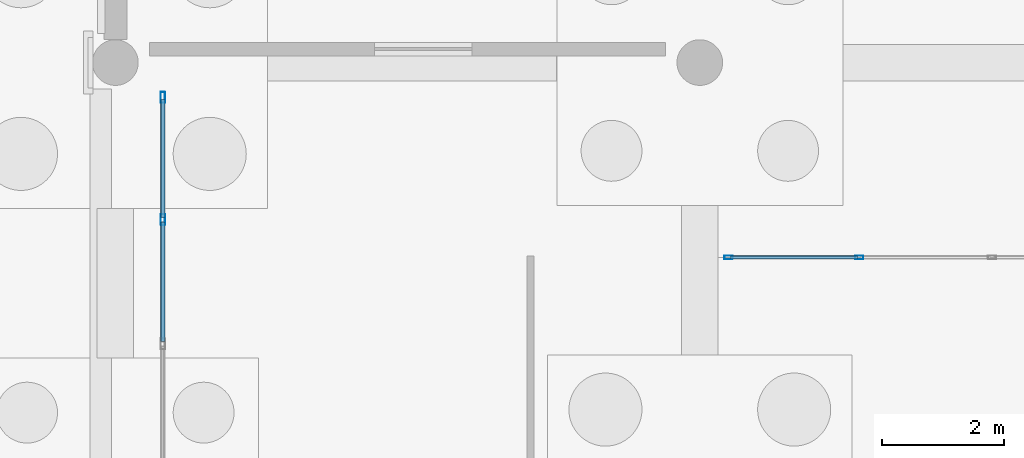
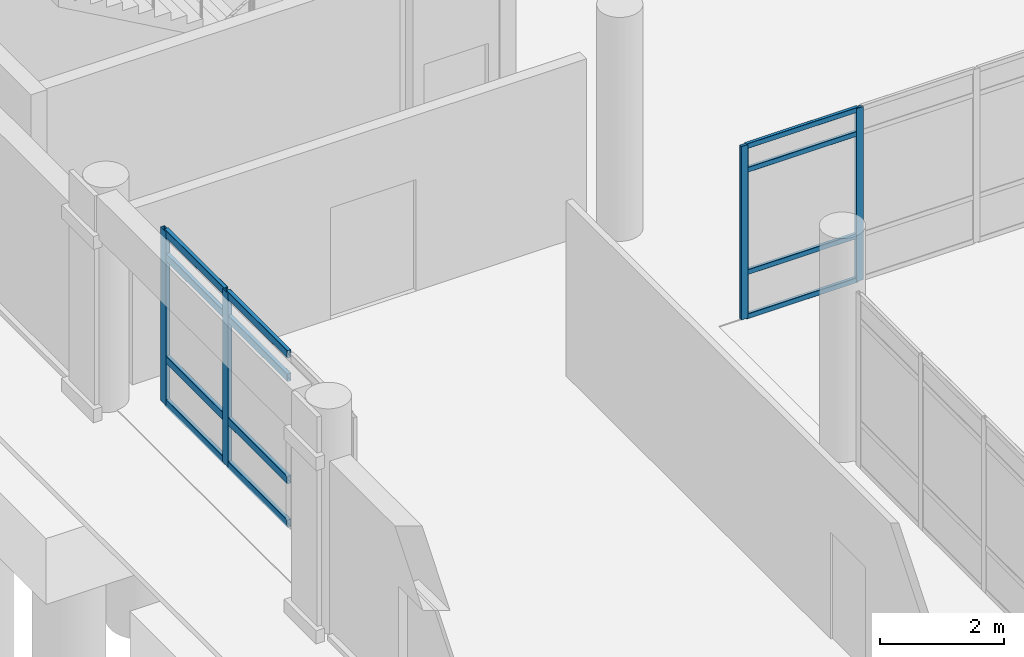
# One storey, part 100 of 196: 16 members, 2 elements without a shape of their own.
"""IFC4 building model written with IfcOpenShell, lengths in metres."""

from ifc_helpers import new_model, si_unit, direction, frame, origin, origin_2d, place, context, subcontext, project, spatial, hollow_rectangle, extrude, material, layer, layer_set, material_profile, profile_set, type_object, element, aggregate, save


model = new_model("IFC4")

# Units and contexts
model_context = context("Model", 3, precision=1e-05, world=origin(), true_north=direction((0.0, 1.0)))
body_context = subcontext(model_context, "Body", "Model", "MODEL_VIEW")
ifc_project = project(units=[si_unit("LENGTHUNIT", "METRE"), si_unit("AREAUNIT", "SQUARE_METRE"), si_unit("VOLUMEUNIT", "CUBIC_METRE"), si_unit("PLANEANGLEUNIT", "RADIAN"), si_unit("MASSUNIT", "GRAM", prefix="KILO")], contexts=[model_context])

# Site, building, storey
site_placement = place(None, origin())
site = spatial("IfcSite", under=ifc_project, at=site_placement, CompositionType="ELEMENT")
building_placement = place(site_placement, origin())
building = spatial("IfcBuilding", under=site, at=building_placement, Name="Asteropetra Specialist Clinic", CompositionType="ELEMENT")
storey_placement = place(building_placement, origin())
storey = spatial("IfcBuildingStorey", under=building, at=storey_placement, Name="L00", CompositionType="ELEMENT", Elevation=0.0)

# Curtain wall, members
ifc_material_1 = material(Name="Aluminium and low-E glass", Category="aluminium")
ifc_layer_1 = layer(ifc_material_1, 0.135009765625)
ifc_layer_set_1 = layer_set([ifc_layer_1], Name="Aluminium and low-E glass")
curtain_wall_type_1 = type_object("IfcCurtainWallType", Name="CW-SYS-03", PredefinedType="USERDEFINED", material=ifc_layer_set_1)
curtain_wall_1_placement = place(storey_placement, origin())
curtain_wall_1 = element("IfcCurtainWall", 1, at=curtain_wall_1_placement, inside=storey, type_object=curtain_wall_type_1, Name="Curtain Wall CW-002", ObjectType="UNITISED CURTAIN WALL", PredefinedType="USERDEFINED")
ifc_material_2 = material(Name="Aluminium 6063-T6", Category="aluminium")
ifc_material_profile_1 = material_profile(ifc_material_2, hollow_rectangle(XDim=0.06005859375, YDim=0.135009765625, WallThickness=0.00341796875, InnerFilletRadius=0.00341796875, OuterFilletRadius=0.007080078125, at=origin_2d()), Name="MUL 135x60x3.5")
ifc_profile_set_1 = profile_set([ifc_material_profile_1], Name="Aluminium 6063-T6")
member_type_1 = type_object("IfcMemberType", Name="CWM-135x60", PredefinedType="MULLION", material=ifc_profile_set_1)
member_1_placement = place(storey_placement, frame((12.219970703125, 95.199951171875, 0.0), z_axis=(0.0, 0.0, 1.0), x_axis=(0.0, -1.0, 0.0)))
member_1 = element("IfcMember", 2, at=member_1_placement, type_object=member_type_1, Name="CW-002 mullion 4", PredefinedType="MULLION", context=body_context, shape_type="SweptSolid", body=[
    extrude(hollow_rectangle(XDim=0.06005859375, YDim=0.135009765625, WallThickness=0.00341796875, InnerFilletRadius=0.00341796875, OuterFilletRadius=0.007080078125, at=origin_2d()), origin(), (0.0, 0.0, 1.0), 3.419921875),
])
member_2_placement = place(storey_placement, frame((10.070068359375, 95.199951171875, 0.0), z_axis=(0.0, 0.0, 1.0), x_axis=(0.0, -1.0, 0.0)))
member_2 = element("IfcMember", 3, at=member_2_placement, type_object=member_type_1, Name="CW-002 mullion 5", PredefinedType="MULLION", context=body_context, shape_type="SweptSolid", body=[
    extrude(hollow_rectangle(XDim=0.06005859375, YDim=0.135009765625, WallThickness=0.00341796875, InnerFilletRadius=0.00341796875, OuterFilletRadius=0.007080078125, at=origin_2d()), origin(), (0.0, 0.0, 1.0), 3.419921875),
])

ifc_material_3 = material(Name="Aluminium and low-E glass", Category="aluminium")
ifc_layer_2 = layer(ifc_material_3, 0.179931640625)
ifc_layer_set_2 = layer_set([ifc_layer_2], Name="Aluminium and low-E glass")
curtain_wall_type_2 = type_object("IfcCurtainWallType", Name="CW-SYS-01", PredefinedType="USERDEFINED", material=ifc_layer_set_2)
curtain_wall_2_placement = place(storey_placement, origin())
curtain_wall_2 = element("IfcCurtainWall", 4, at=curtain_wall_2_placement, inside=storey, type_object=curtain_wall_type_2, Name="Curtain Wall CW-189", ObjectType="UNITISED CURTAIN WALL", PredefinedType="USERDEFINED")
ifc_material_4 = material(Name="Aluminium 6063-T6", Category="aluminium")
ifc_material_profile_2 = material_profile(ifc_material_4, hollow_rectangle(XDim=0.074951171875, YDim=0.179931640625, WallThickness=0.00390625, InnerFilletRadius=0.00390625, OuterFilletRadius=0.008056640625, at=origin_2d()), Name="MUL 180x75x4.0")
ifc_profile_set_2 = profile_set([ifc_material_profile_2], Name="Aluminium 6063-T6")
member_type_2 = type_object("IfcMemberType", Name="CWM-180x75", PredefinedType="MULLION", material=ifc_profile_set_2)
member_3_placement = place(storey_placement, frame((0.780029296875, 97.827392578125, 0.0), z_axis=(0.0, 0.0, 1.0), x_axis=(1.0, 0.0, 0.0)))
member_3 = element("IfcMember", 5, at=member_3_placement, type_object=member_type_2, Name="CW-189 mullion 1", PredefinedType="MULLION", context=body_context, shape_type="SweptSolid", body=[
    extrude(hollow_rectangle(XDim=0.074951171875, YDim=0.179931640625, WallThickness=0.00390625, InnerFilletRadius=0.00390625, OuterFilletRadius=0.008056640625, at=origin_2d()), origin(), (0.0, 0.0, 1.0), 3.419921875),
])
member_4_placement = place(storey_placement, frame((0.780029296875, 95.82177734375, 0.0), z_axis=(0.0, 0.0, 1.0), x_axis=(1.0, 0.0, 0.0)))
member_4 = element("IfcMember", 6, at=member_4_placement, type_object=member_type_2, Name="CW-189 mullion 2", PredefinedType="MULLION", context=body_context, shape_type="SweptSolid", body=[
    extrude(hollow_rectangle(XDim=0.074951171875, YDim=0.179931640625, WallThickness=0.00390625, InnerFilletRadius=0.00390625, OuterFilletRadius=0.008056640625, at=origin_2d()), origin(), (0.0, 0.0, 1.0), 3.419921875),
])

# Member
ifc_material_5 = material(Name="Aluminium 6063-T6", Category="aluminium")
ifc_material_profile_3 = material_profile(ifc_material_5, hollow_rectangle(XDim=0.06005859375, YDim=0.10009765625, WallThickness=0.00341796875, InnerFilletRadius=0.00341796875, OuterFilletRadius=0.007080078125, at=origin_2d()), Name="TRN 100x60x3.5")
ifc_profile_set_3 = profile_set([ifc_material_profile_3], Name="Aluminium 6063-T6")
member_type_3 = type_object("IfcMemberType", Name="CWT-100x60", PredefinedType="USERDEFINED", material=ifc_profile_set_3)
member_5_placement = place(storey_placement, frame((12.18994140625, 95.199951171875, 0.030029296875), z_axis=(-1.0, 0.0, 0.0), x_axis=(0.0, -1.0, 0.0)))
member_5 = element("IfcMember", 7, at=member_5_placement, type_object=member_type_3, Name="CW-002 transom 4.1", ObjectType="TRANSOM", PredefinedType="USERDEFINED", context=body_context, shape_type="SweptSolid", body=[
    extrude(hollow_rectangle(XDim=0.06005859375, YDim=0.10009765625, WallThickness=0.00341796875, InnerFilletRadius=0.00341796875, OuterFilletRadius=0.007080078125, at=origin_2d()), origin(), (0.0, 0.0, 1.0), 2.08984375),
])

member_6_placement = place(storey_placement, frame((12.18994140625, 95.199951171875, 0.89990234375), z_axis=(-1.0, 0.0, 0.0), x_axis=(0.0, -1.0, 0.0)))
member_6 = element("IfcMember", 8, at=member_6_placement, type_object=member_type_3, Name="CW-002 transom 4.2", ObjectType="TRANSOM", PredefinedType="USERDEFINED", context=body_context, shape_type="SweptSolid", body=[
    extrude(hollow_rectangle(XDim=0.06005859375, YDim=0.10009765625, WallThickness=0.00341796875, InnerFilletRadius=0.00341796875, OuterFilletRadius=0.007080078125, at=origin_2d()), origin(), (0.0, 0.0, 1.0), 2.08984375),
])

member_7_placement = place(storey_placement, frame((12.18994140625, 95.199951171875, 2.919921875), z_axis=(-1.0, 0.0, 0.0), x_axis=(0.0, -1.0, 0.0)))
member_7 = element("IfcMember", 9, at=member_7_placement, type_object=member_type_3, Name="CW-002 transom 4.3", ObjectType="TRANSOM", PredefinedType="USERDEFINED", context=body_context, shape_type="SweptSolid", body=[
    extrude(hollow_rectangle(XDim=0.06005859375, YDim=0.10009765625, WallThickness=0.00341796875, InnerFilletRadius=0.00341796875, OuterFilletRadius=0.007080078125, at=origin_2d()), origin(), (0.0, 0.0, 1.0), 2.08984375),
])

member_8_placement = place(storey_placement, frame((12.18994140625, 95.199951171875, 3.389892578125), z_axis=(-1.0, 0.0, 0.0), x_axis=(0.0, -1.0, 0.0)))
member_8 = element("IfcMember", 10, at=member_8_placement, type_object=member_type_3, Name="CW-002 transom 4.4", ObjectType="TRANSOM", PredefinedType="USERDEFINED", context=body_context, shape_type="SweptSolid", body=[
    extrude(hollow_rectangle(XDim=0.06005859375, YDim=0.10009765625, WallThickness=0.00341796875, InnerFilletRadius=0.00341796875, OuterFilletRadius=0.007080078125, at=origin_2d()), origin(), (0.0, 0.0, 1.0), 2.08984375),
])

aggregate(curtain_wall_1, [member_1, member_2, member_5, member_6, member_7, member_8])

ifc_material_6 = material(Name="Aluminium 6063-T6", Category="aluminium")
ifc_material_profile_4 = material_profile(ifc_material_6, hollow_rectangle(XDim=0.074951171875, YDim=0.14990234375, WallThickness=0.00390625, InnerFilletRadius=0.00390625, OuterFilletRadius=0.008056640625, at=origin_2d()), Name="TRN 150x75x4.0")
ifc_profile_set_4 = profile_set([ifc_material_profile_4], Name="Aluminium 6063-T6")
member_type_4 = type_object("IfcMemberType", Name="CWT-150x75", PredefinedType="USERDEFINED", material=ifc_profile_set_4)
member_9_placement = place(storey_placement, frame((0.780029296875, 97.7900390625, 0.03759765625), z_axis=(0.0, -1.0, 0.0), x_axis=(1.0, 0.0, 0.0)))
member_9 = element("IfcMember", 11, at=member_9_placement, type_object=member_type_4, Name="CW-189 transom 1.1", ObjectType="TRANSOM", PredefinedType="USERDEFINED", context=body_context, shape_type="SweptSolid", body=[
    extrude(hollow_rectangle(XDim=0.074951171875, YDim=0.14990234375, WallThickness=0.00390625, InnerFilletRadius=0.00390625, OuterFilletRadius=0.008056640625, at=origin_2d()), origin(), (0.0, 0.0, 1.0), 1.930908203125),
])

member_10_placement = place(storey_placement, frame((0.780029296875, 97.7900390625, 0.89990234375), z_axis=(0.0, -1.0, 0.0), x_axis=(1.0, 0.0, 0.0)))
member_10 = element("IfcMember", 12, at=member_10_placement, type_object=member_type_4, Name="CW-189 transom 1.2", ObjectType="TRANSOM", PredefinedType="USERDEFINED", context=body_context, shape_type="SweptSolid", body=[
    extrude(hollow_rectangle(XDim=0.074951171875, YDim=0.14990234375, WallThickness=0.00390625, InnerFilletRadius=0.00390625, OuterFilletRadius=0.008056640625, at=origin_2d()), origin(), (0.0, 0.0, 1.0), 1.930908203125),
])

member_11_placement = place(storey_placement, frame((0.780029296875, 97.7900390625, 2.919921875), z_axis=(0.0, -1.0, 0.0), x_axis=(1.0, 0.0, 0.0)))
member_11 = element("IfcMember", 13, at=member_11_placement, type_object=member_type_4, Name="CW-189 transom 1.3", ObjectType="TRANSOM", PredefinedType="USERDEFINED", context=body_context, shape_type="SweptSolid", body=[
    extrude(hollow_rectangle(XDim=0.074951171875, YDim=0.14990234375, WallThickness=0.00390625, InnerFilletRadius=0.00390625, OuterFilletRadius=0.008056640625, at=origin_2d()), origin(), (0.0, 0.0, 1.0), 1.930908203125),
])

member_12_placement = place(storey_placement, frame((0.780029296875, 97.7900390625, 3.382568359375), z_axis=(0.0, -1.0, 0.0), x_axis=(1.0, 0.0, 0.0)))
member_12 = element("IfcMember", 14, at=member_12_placement, type_object=member_type_4, Name="CW-189 transom 1.4", ObjectType="TRANSOM", PredefinedType="USERDEFINED", context=body_context, shape_type="SweptSolid", body=[
    extrude(hollow_rectangle(XDim=0.074951171875, YDim=0.14990234375, WallThickness=0.00390625, InnerFilletRadius=0.00390625, OuterFilletRadius=0.008056640625, at=origin_2d()), origin(), (0.0, 0.0, 1.0), 1.930908203125),
])

member_13_placement = place(storey_placement, frame((0.780029296875, 95.7841796875, 0.03759765625), z_axis=(0.0, -1.0, 0.0), x_axis=(1.0, 0.0, 0.0)))
member_13 = element("IfcMember", 15, at=member_13_placement, type_object=member_type_4, Name="CW-189 transom 2.1", ObjectType="TRANSOM", PredefinedType="USERDEFINED", context=body_context, shape_type="SweptSolid", body=[
    extrude(hollow_rectangle(XDim=0.074951171875, YDim=0.14990234375, WallThickness=0.00390625, InnerFilletRadius=0.00390625, OuterFilletRadius=0.008056640625, at=origin_2d()), origin(), (0.0, 0.0, 1.0), 1.96826171875),
])

member_14_placement = place(storey_placement, frame((0.780029296875, 95.7841796875, 0.89990234375), z_axis=(0.0, -1.0, 0.0), x_axis=(1.0, 0.0, 0.0)))
member_14 = element("IfcMember", 16, at=member_14_placement, type_object=member_type_4, Name="CW-189 transom 2.2", ObjectType="TRANSOM", PredefinedType="USERDEFINED", context=body_context, shape_type="SweptSolid", body=[
    extrude(hollow_rectangle(XDim=0.074951171875, YDim=0.14990234375, WallThickness=0.00390625, InnerFilletRadius=0.00390625, OuterFilletRadius=0.008056640625, at=origin_2d()), origin(), (0.0, 0.0, 1.0), 1.96826171875),
])

member_15_placement = place(storey_placement, frame((0.780029296875, 95.7841796875, 2.919921875), z_axis=(0.0, -1.0, 0.0), x_axis=(1.0, 0.0, 0.0)))
member_15 = element("IfcMember", 17, at=member_15_placement, type_object=member_type_4, Name="CW-189 transom 2.3", ObjectType="TRANSOM", PredefinedType="USERDEFINED", context=body_context, shape_type="SweptSolid", body=[
    extrude(hollow_rectangle(XDim=0.074951171875, YDim=0.14990234375, WallThickness=0.00390625, InnerFilletRadius=0.00390625, OuterFilletRadius=0.008056640625, at=origin_2d()), origin(), (0.0, 0.0, 1.0), 1.96826171875),
])

member_16_placement = place(storey_placement, frame((0.780029296875, 95.7841796875, 3.382568359375), z_axis=(0.0, -1.0, 0.0), x_axis=(1.0, 0.0, 0.0)))
member_16 = element("IfcMember", 18, at=member_16_placement, type_object=member_type_4, Name="CW-189 transom 2.4", ObjectType="TRANSOM", PredefinedType="USERDEFINED", context=body_context, shape_type="SweptSolid", body=[
    extrude(hollow_rectangle(XDim=0.074951171875, YDim=0.14990234375, WallThickness=0.00390625, InnerFilletRadius=0.00390625, OuterFilletRadius=0.008056640625, at=origin_2d()), origin(), (0.0, 0.0, 1.0), 1.96826171875),
])

aggregate(curtain_wall_2, [member_3, member_4, member_9, member_10, member_11, member_12, member_13, member_14, member_15, member_16])

save(model, "model.ifc")
